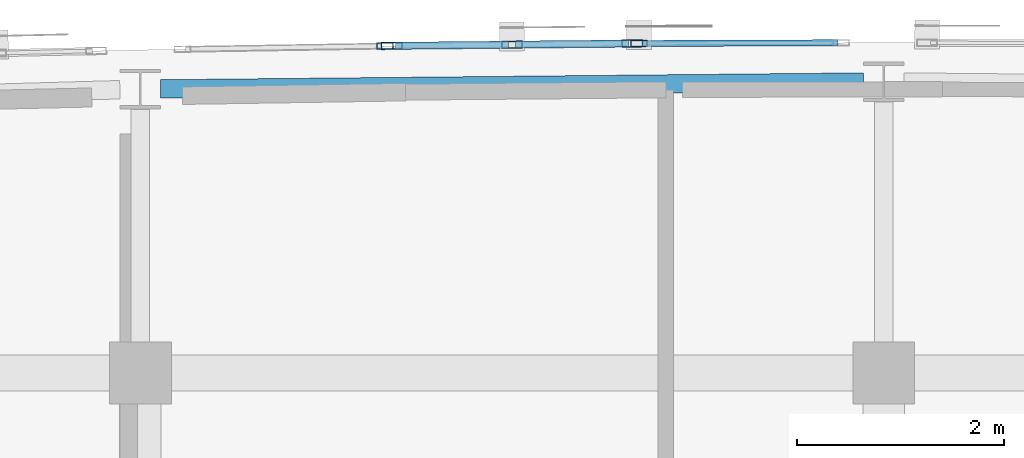
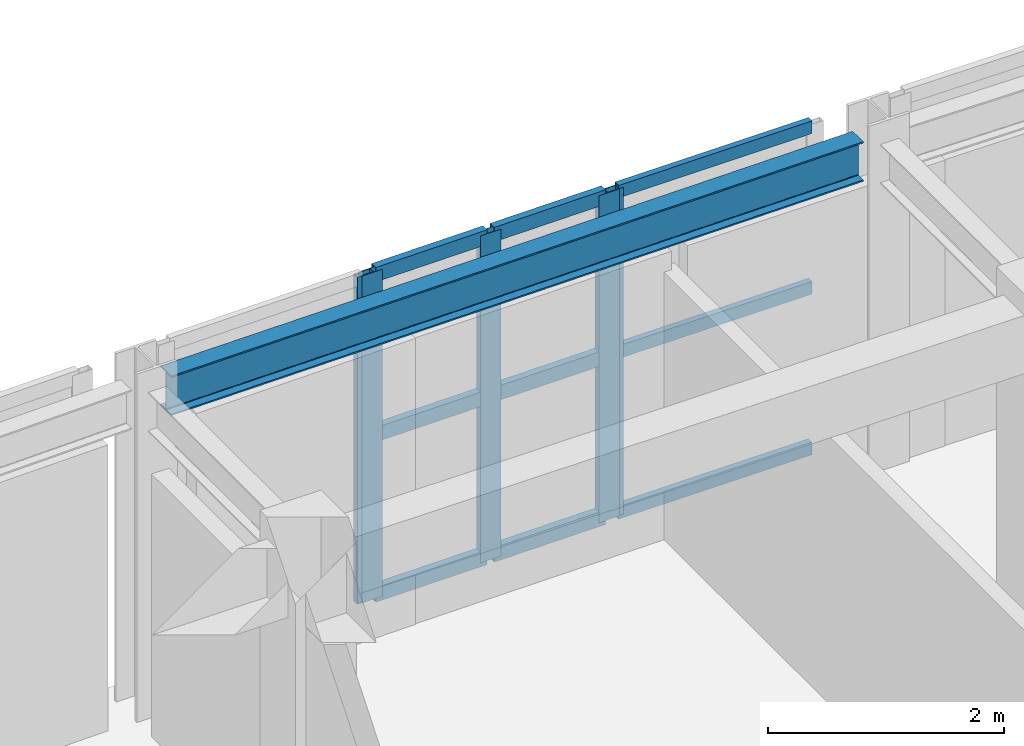
# One storey, part 15 of 41: 14 members, 1 beam, 3 elements without a shape of their own.
"""IFC4 building model written with IfcOpenShell, lengths in metres."""

from ifc_helpers import new_model, si_unit, direction, frame, origin, origin_2d, place, context, subcontext, project, spatial, hollow_rectangle, i_section, extrude, material, layer, layer_set, material_profile, profile_set, type_object, element, aggregate, save


model = new_model("IFC4")

# Units and contexts
model_context = context("Model", 3, precision=1e-05, world=origin(), true_north=direction((0.0, 1.0)))
body_context = subcontext(model_context, "Body", "Model", "MODEL_VIEW")
ifc_project = project(units=[si_unit("LENGTHUNIT", "METRE"), si_unit("AREAUNIT", "SQUARE_METRE"), si_unit("VOLUMEUNIT", "CUBIC_METRE"), si_unit("PLANEANGLEUNIT", "RADIAN"), si_unit("MASSUNIT", "GRAM", prefix="KILO")], contexts=[model_context])

# Site, building, storey
site_placement = place(None, origin())
site = spatial("IfcSite", under=ifc_project, at=site_placement, CompositionType="ELEMENT")
building_placement = place(site_placement, origin())
building = spatial("IfcBuilding", under=site, at=building_placement, Name="Carrowvane Square Congress Hotel", CompositionType="ELEMENT")
storey_placement = place(building_placement, frame((0.0, 0.0, 37.199951171875)))
storey = spatial("IfcBuildingStorey", under=building, at=storey_placement, Name="L09", CompositionType="ELEMENT", Elevation=37.199951171875)

# Beam
ifc_material_1 = material(Name="Steel S355", Category="steel")
ifc_material_profile_1 = material_profile(ifc_material_1, i_section(OverallWidth=0.1787109375, OverallDepth=0.409423828125, WebThickness=0.0087890625, FlangeThickness=0.014404296875, FilletRadius=0.01025390625, at=origin_2d()), Name="UKB 406x178x67")
ifc_profile_set_1 = profile_set([ifc_material_profile_1], Name="Steel S355")
beam_type = type_object("IfcBeamType", Name="BM-ST-UKB406", PredefinedType="BEAM", material=ifc_profile_set_1)
beam_placement = place(storey_placement, frame((90.997314453125, 116.151611328125, 3.17529296875), z_axis=(0.99995239219, 0.009757733037, 0.0), x_axis=(-0.009757733037, 0.99995239219, 0.0)))
element("IfcBeam", 1, at=beam_placement, inside=storey, type_object=beam_type, Name="L10 curved north spandrel", PredefinedType="BEAM", context=body_context, shape_type="SweptSolid", body=[
    extrude(i_section(OverallWidth=0.1787109375, OverallDepth=0.409423828125, WebThickness=0.0087890625, FlangeThickness=0.014404296875, FilletRadius=0.01025390625, at=origin_2d()), origin(), (0.0, 0.0, 1.0), 6.805419921875),
])

# Curtain wall, member
ifc_material_2 = material(Name="Anodised aluminium", Category="aluminium")
ifc_layer_1 = layer(ifc_material_2, 0.162109375)
ifc_layer_set_1 = layer_set([ifc_layer_1], Name="Anodised aluminium")
curtain_wall_type_1 = type_object("IfcCurtainWallType", Name="CW-SYS-1", PredefinedType="NOTDEFINED", material=ifc_layer_set_1)
curtain_wall_1_placement = place(storey_placement, origin())
curtain_wall_1 = element("IfcCurtainWall", 2, at=curtain_wall_1_placement, inside=storey, type_object=curtain_wall_type_1, Name="L09 unitised curtain wall 528", PredefinedType="NOTDEFINED")
ifc_material_3 = material(Name="Anodised aluminium", Category="aluminium")
ifc_material_profile_2 = material_profile(ifc_material_3, hollow_rectangle(XDim=0.06005859375, YDim=0.159912109375, WallThickness=0.00390625, at=origin_2d()), Name="CW-ML 60x160x4")
ifc_profile_set_2 = profile_set([ifc_material_profile_2], Name="Anodised aluminium")
member_type_1 = type_object("IfcMemberType", Name="CW-MUL-1", PredefinedType="MULLION", material=ifc_profile_set_2)
member_1_placement = place(storey_placement, frame((93.169921875, 116.568115234375, 0.0), z_axis=(0.0, 0.0, 1.0), x_axis=(-0.016215981364, 0.99986851233, 0.0)))
member_1 = element("IfcMember", 3, at=member_1_placement, type_object=member_type_1, Name="CW-1 mullion 2", PredefinedType="MULLION", context=body_context, shape_type="SweptSolid", body=[
    extrude(hollow_rectangle(XDim=0.06005859375, YDim=0.159912109375, WallThickness=0.00390625, at=origin_2d()), origin(), (0.0, 0.0, 1.0), 3.380126953125),
])
aggregate(curtain_wall_1, [member_1])

ifc_material_4 = material(Name="Anodised aluminium", Category="aluminium")
ifc_layer_2 = layer(ifc_material_4, 0.18603515625)
ifc_layer_set_2 = layer_set([ifc_layer_2], Name="Anodised aluminium")
curtain_wall_type_2 = type_object("IfcCurtainWallType", Name="CW-SYS-3", PredefinedType="NOTDEFINED", material=ifc_layer_set_2)
curtain_wall_2_placement = place(storey_placement, origin())
curtain_wall_2 = element("IfcCurtainWall", 4, at=curtain_wall_2_placement, inside=storey, type_object=curtain_wall_type_2, Name="L09 unitised curtain wall 530", PredefinedType="NOTDEFINED")
member_2_placement = place(storey_placement, frame((95.6298828125, 116.59228515625, 0.0), z_axis=(0.0, 0.0, 1.0), x_axis=(-0.003270307911, 0.999994652529, 0.0)))
member_2 = element("IfcMember", 5, at=member_2_placement, type_object=member_type_1, Name="CW-3 mullion 1", PredefinedType="MULLION", context=body_context, shape_type="SweptSolid", body=[
    extrude(hollow_rectangle(XDim=0.06005859375, YDim=0.159912109375, WallThickness=0.00390625, at=origin_2d()), origin(), (0.0, 0.0, 1.0), 3.380126953125),
])

# Curtain wall, members
ifc_material_5 = material(Name="Anodised aluminium", Category="aluminium")
ifc_layer_3 = layer(ifc_material_5, 0.174072265625)
ifc_layer_set_3 = layer_set([ifc_layer_3], Name="Anodised aluminium")
curtain_wall_type_3 = type_object("IfcCurtainWallType", Name="CW-SYS-2", PredefinedType="NOTDEFINED", material=ifc_layer_set_3)
curtain_wall_3_placement = place(storey_placement, origin())
curtain_wall_3 = element("IfcCurtainWall", 6, at=curtain_wall_3_placement, inside=storey, type_object=curtain_wall_type_3, Name="L09 unitised curtain wall 529", PredefinedType="NOTDEFINED")
ifc_material_6 = material(Name="Anodised aluminium", Category="aluminium")
ifc_material_profile_3 = material_profile(ifc_material_6, hollow_rectangle(XDim=0.070068359375, YDim=0.199951171875, WallThickness=0.0048828125, at=origin_2d()), Name="CW-ML 70x200x5")
ifc_profile_set_3 = profile_set([ifc_material_profile_3], Name="Anodised aluminium")
member_type_2 = type_object("IfcMemberType", Name="CW-MUL-2", PredefinedType="MULLION", material=ifc_profile_set_3)
member_3_placement = place(storey_placement, frame((93.235107421875, 116.569091796875, 0.0), z_axis=(0.0, 0.0, 1.0), x_axis=(-0.009782905924, 0.999952146231, 0.0)))
member_3 = element("IfcMember", 7, at=member_3_placement, type_object=member_type_2, Name="CW-2 mullion 1", PredefinedType="MULLION", context=body_context, shape_type="SweptSolid", body=[
    extrude(hollow_rectangle(XDim=0.070068359375, YDim=0.199951171875, WallThickness=0.0048828125, at=origin_2d()), origin(), (0.0, 0.0, 1.0), 3.380126953125),
])
member_4_placement = place(storey_placement, frame((94.39990234375, 116.580322265625, 0.0), z_axis=(0.0, 0.0, 1.0), x_axis=(-0.009782905924, 0.999952146231, 0.0)))
member_4 = element("IfcMember", 8, at=member_4_placement, type_object=member_type_2, Name="CW-2 mullion 2", PredefinedType="MULLION", context=body_context, shape_type="SweptSolid", body=[
    extrude(hollow_rectangle(XDim=0.070068359375, YDim=0.199951171875, WallThickness=0.0048828125, at=origin_2d()), origin(), (0.0, 0.0, 1.0), 3.380126953125),
])
member_5_placement = place(storey_placement, frame((95.56494140625, 116.591796875, 0.0), z_axis=(0.0, 0.0, 1.0), x_axis=(-0.009782905924, 0.999952146231, 0.0)))
member_5 = element("IfcMember", 9, at=member_5_placement, type_object=member_type_2, Name="CW-2 mullion 3", PredefinedType="MULLION", context=body_context, shape_type="SweptSolid", body=[
    extrude(hollow_rectangle(XDim=0.070068359375, YDim=0.199951171875, WallThickness=0.0048828125, at=origin_2d()), origin(), (0.0, 0.0, 1.0), 3.380126953125),
])

# Member
ifc_material_7 = material(Name="Anodised aluminium", Category="aluminium")
ifc_material_profile_4 = material_profile(ifc_material_7, hollow_rectangle(XDim=0.06005859375, YDim=0.1298828125, WallThickness=0.00390625, at=origin_2d()), Name="CW-TR 60x130x4")
ifc_profile_set_4 = profile_set([ifc_material_profile_4], Name="Anodised aluminium")
member_type_3 = type_object("IfcMemberType", Name="CW-TRN-1", PredefinedType="USERDEFINED", material=ifc_profile_set_4)
member_6_placement = place(storey_placement, frame((95.659912109375, 116.59228515625, 0.030029296875), z_axis=(0.999994391408, 0.003349201878, 0.0), x_axis=(-0.003349201878, 0.999994391408, 0.0)))
member_6 = element("IfcMember", 10, at=member_6_placement, type_object=member_type_3, Name="CW-3 transom 1.1", ObjectType="TRANSOM", PredefinedType="USERDEFINED", context=body_context, shape_type="SweptSolid", body=[
    extrude(hollow_rectangle(XDim=0.06005859375, YDim=0.1298828125, WallThickness=0.00390625, at=origin_2d()), origin(), (0.0, 0.0, 1.0), 1.895263671875),
])

member_7_placement = place(storey_placement, frame((95.659912109375, 116.59228515625, 1.68994140625), z_axis=(0.999994391408, 0.003349201878, 0.0), x_axis=(-0.003349201878, 0.999994391408, 0.0)))
member_7 = element("IfcMember", 11, at=member_7_placement, type_object=member_type_3, Name="CW-3 transom 1.2", ObjectType="TRANSOM", PredefinedType="USERDEFINED", context=body_context, shape_type="SweptSolid", body=[
    extrude(hollow_rectangle(XDim=0.06005859375, YDim=0.1298828125, WallThickness=0.00390625, at=origin_2d()), origin(), (0.0, 0.0, 1.0), 1.895263671875),
])

member_8_placement = place(storey_placement, frame((95.659912109375, 116.59228515625, 3.35009765625), z_axis=(0.999994391408, 0.003349201878, 0.0), x_axis=(-0.003349201878, 0.999994391408, 0.0)))
member_8 = element("IfcMember", 12, at=member_8_placement, type_object=member_type_3, Name="CW-3 transom 1.3", ObjectType="TRANSOM", PredefinedType="USERDEFINED", context=body_context, shape_type="SweptSolid", body=[
    extrude(hollow_rectangle(XDim=0.06005859375, YDim=0.1298828125, WallThickness=0.00390625, at=origin_2d()), origin(), (0.0, 0.0, 1.0), 1.895263671875),
])

aggregate(curtain_wall_2, [member_2, member_6, member_7, member_8])

ifc_material_8 = material(Name="Anodised aluminium", Category="aluminium")
ifc_material_profile_5 = material_profile(ifc_material_8, hollow_rectangle(XDim=0.070068359375, YDim=0.14990234375, WallThickness=0.0048828125, at=origin_2d()), Name="CW-TR 70x150x5")
ifc_profile_set_5 = profile_set([ifc_material_profile_5], Name="Anodised aluminium")
member_type_4 = type_object("IfcMemberType", Name="CW-TRN-2", PredefinedType="USERDEFINED", material=ifc_profile_set_5)
member_9_placement = place(storey_placement, frame((93.27001953125, 116.5693359375, 0.03515625), z_axis=(0.999951880721, 0.009810007302, 0.0), x_axis=(-0.009810007302, 0.999951880721, 0.0)))
member_9 = element("IfcMember", 13, at=member_9_placement, type_object=member_type_4, Name="CW-2 transom 1.1", ObjectType="TRANSOM", PredefinedType="USERDEFINED", context=body_context, shape_type="SweptSolid", body=[
    extrude(hollow_rectangle(XDim=0.070068359375, YDim=0.14990234375, WallThickness=0.0048828125, at=origin_2d()), origin(), (0.0, 0.0, 1.0), 1.094970703125),
])

member_10_placement = place(storey_placement, frame((93.27001953125, 116.5693359375, 1.68994140625), z_axis=(0.999951880721, 0.009810007302, 0.0), x_axis=(-0.009810007302, 0.999951880721, 0.0)))
member_10 = element("IfcMember", 14, at=member_10_placement, type_object=member_type_4, Name="CW-2 transom 1.2", ObjectType="TRANSOM", PredefinedType="USERDEFINED", context=body_context, shape_type="SweptSolid", body=[
    extrude(hollow_rectangle(XDim=0.070068359375, YDim=0.14990234375, WallThickness=0.0048828125, at=origin_2d()), origin(), (0.0, 0.0, 1.0), 1.094970703125),
])

member_11_placement = place(storey_placement, frame((93.27001953125, 116.5693359375, 3.344970703125), z_axis=(0.999951880721, 0.009810007302, 0.0), x_axis=(-0.009810007302, 0.999951880721, 0.0)))
member_11 = element("IfcMember", 15, at=member_11_placement, type_object=member_type_4, Name="CW-2 transom 1.3", ObjectType="TRANSOM", PredefinedType="USERDEFINED", context=body_context, shape_type="SweptSolid", body=[
    extrude(hollow_rectangle(XDim=0.070068359375, YDim=0.14990234375, WallThickness=0.0048828125, at=origin_2d()), origin(), (0.0, 0.0, 1.0), 1.094970703125),
])

member_12_placement = place(storey_placement, frame((94.43505859375, 116.580810546875, 0.03515625), z_axis=(0.999951880721, 0.009810007302, 0.0), x_axis=(-0.009810007302, 0.999951880721, 0.0)))
member_12 = element("IfcMember", 16, at=member_12_placement, type_object=member_type_4, Name="CW-2 transom 2.1", ObjectType="TRANSOM", PredefinedType="USERDEFINED", context=body_context, shape_type="SweptSolid", body=[
    extrude(hollow_rectangle(XDim=0.070068359375, YDim=0.14990234375, WallThickness=0.0048828125, at=origin_2d()), origin(), (0.0, 0.0, 1.0), 1.094970703125),
])

member_13_placement = place(storey_placement, frame((94.43505859375, 116.580810546875, 1.68994140625), z_axis=(0.999951880721, 0.009810007302, 0.0), x_axis=(-0.009810007302, 0.999951880721, 0.0)))
member_13 = element("IfcMember", 17, at=member_13_placement, type_object=member_type_4, Name="CW-2 transom 2.2", ObjectType="TRANSOM", PredefinedType="USERDEFINED", context=body_context, shape_type="SweptSolid", body=[
    extrude(hollow_rectangle(XDim=0.070068359375, YDim=0.14990234375, WallThickness=0.0048828125, at=origin_2d()), origin(), (0.0, 0.0, 1.0), 1.094970703125),
])

member_14_placement = place(storey_placement, frame((94.43505859375, 116.580810546875, 3.344970703125), z_axis=(0.999951880721, 0.009810007302, 0.0), x_axis=(-0.009810007302, 0.999951880721, 0.0)))
member_14 = element("IfcMember", 18, at=member_14_placement, type_object=member_type_4, Name="CW-2 transom 2.3", ObjectType="TRANSOM", PredefinedType="USERDEFINED", context=body_context, shape_type="SweptSolid", body=[
    extrude(hollow_rectangle(XDim=0.070068359375, YDim=0.14990234375, WallThickness=0.0048828125, at=origin_2d()), origin(), (0.0, 0.0, 1.0), 1.094970703125),
])

aggregate(curtain_wall_3, [member_3, member_4, member_5, member_9, member_10, member_11, member_12, member_13, member_14])

save(model, "model.ifc")
